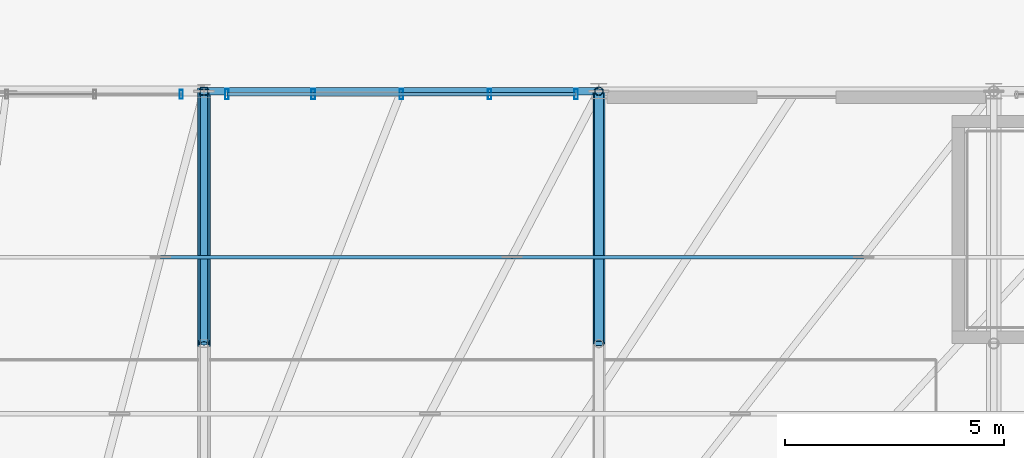
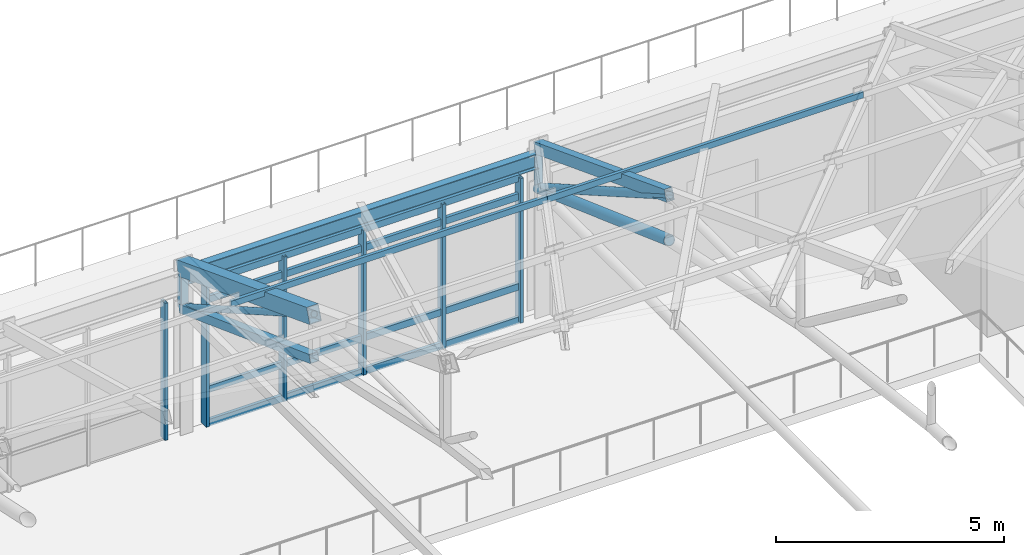
# One storey, part 66 of 168: 18 members, 3 beams, 2 elements without a shape of their own.
"""IFC4 building model written with IfcOpenShell, lengths in metres."""

from ifc_helpers import new_model, si_unit, direction, frame, origin, origin_2d, place, context, subcontext, project, spatial, hollow_rectangle, hollow_circle, i_section, extrude, material, material_profile, profile_set, type_object, element, aggregate, save


model = new_model("IFC4")

# Units and contexts
model_context = context("Model", 3, precision=1e-05, world=origin(), true_north=direction((0.0, 1.0)))
body_context = subcontext(model_context, "Body", "Model", "MODEL_VIEW")
ifc_project = project(units=[si_unit("LENGTHUNIT", "METRE"), si_unit("AREAUNIT", "SQUARE_METRE"), si_unit("VOLUMEUNIT", "CUBIC_METRE"), si_unit("PLANEANGLEUNIT", "RADIAN"), si_unit("MASSUNIT", "GRAM", prefix="KILO"), si_unit("THERMODYNAMICTEMPERATUREUNIT", "KELVIN"), si_unit("POWERUNIT", "WATT")], contexts=[model_context])

# Site, building, storey
site_placement = place(None, origin())
site = spatial("IfcSite", under=ifc_project, at=site_placement, CompositionType="ELEMENT")
building_placement = place(site_placement, origin())
building = spatial("IfcBuilding", under=site, at=building_placement, Name="Tepalcoro Natatorium and Aquatics Centre", CompositionType="ELEMENT")
storey_placement = place(building_placement, frame((0.0, 0.0, 10.199951171875)))
storey = spatial("IfcBuildingStorey", under=building, at=storey_placement, Name="L02", CompositionType="ELEMENT", Elevation=10.199951171875)

# Beams
ifc_material_1 = material(Name="Terracotta Painted Hollow Steel ASTM A500 Grade C (Fy 345 MPa)", Category="masonry")
ifc_material_profile_1 = material_profile(ifc_material_1, hollow_rectangle(XDim=0.199951171875, YDim=0.300048828125, WallThickness=0.013916015625, at=origin_2d()), Name="HSS300X200X14")
ifc_profile_set_1 = profile_set([ifc_material_profile_1], Name="Terracotta Painted Hollow Steel ASTM A500 Grade C (Fy 345 MPa)")
beam_type_1 = type_object("IfcBeamType", Name="AC_HSS300x200x14", PredefinedType="USERDEFINED", material=ifc_profile_set_1)
beam_1_placement = place(storey_placement, frame((107.0, 53.25, 6.64599609375), z_axis=(0.0, 0.934186419385, -0.356785276935), x_axis=(-1.0, 0.0, 0.0)))
element("IfcBeam", 1, at=beam_1_placement, inside=storey, type_object=beam_type_1, Name="V1 Arched Truss Top Chord 7", ObjectType="ARCH CHORD", PredefinedType="USERDEFINED", context=body_context, shape_type="SweptSolid", body=[
    extrude(hollow_rectangle(XDim=0.199951171875, YDim=0.300048828125, WallThickness=0.013916015625, at=origin_2d()), origin(), (0.0, 0.0, 1.0), 6.155029296875),
])
ifc_material_profile_2 = material_profile(ifc_material_1, hollow_rectangle(XDim=0.300048828125, YDim=0.39990234375, WallThickness=0.01611328125, at=origin_2d()), Name="HSS400X300X16")
ifc_profile_set_2 = profile_set([ifc_material_profile_2], Name="Terracotta Painted Hollow Steel ASTM A500 Grade C (Fy 345 MPa)")
beam_type_2 = type_object("IfcBeamType", Name="AC_HSS400x300x16", PredefinedType="USERDEFINED", material=ifc_profile_set_2)
beam_2_placement = place(storey_placement, frame((98.0, 53.25, 6.595947265625), z_axis=(0.0, 0.93419963938, -0.356750660521), x_axis=(-1.0, 0.0, 0.0)))
element("IfcBeam", 2, at=beam_2_placement, inside=storey, type_object=beam_type_2, Name="V1 Arched Truss Top Chord 6", ObjectType="ARCH CHORD", PredefinedType="USERDEFINED", context=body_context, shape_type="SweptSolid", body=[
    extrude(hollow_rectangle(XDim=0.300048828125, YDim=0.39990234375, WallThickness=0.01611328125, at=origin_2d()), origin(), (0.0, 0.0, 1.0), 6.155029296875),
])

# Curtain wall, member
ifc_material_2 = material(Name="Bronze-Anodised Extruded Aluminium Alloy EN AW-6063 T6", Category="aluminium")
curtain_wall_type_1 = type_object("IfcCurtainWallType", Name="CW_V1_PLINTH", PredefinedType="USERDEFINED", material=ifc_material_2)
curtain_wall_1_placement = place(storey_placement, origin())
curtain_wall_1 = element("IfcCurtainWall", 3, at=curtain_wall_1_placement, inside=storey, type_object=curtain_wall_type_1, Name="V1 L02 N Unitised Curtain Wall Bay 5", ObjectType="UNITISED STOREFRONT", PredefinedType="USERDEFINED")
ifc_material_profile_3 = material_profile(ifc_material_2, hollow_rectangle(XDim=0.070068359375, YDim=0.199951171875, WallThickness=0.0048828125, at=origin_2d()), Name="AL70X200X5")
ifc_profile_set_3 = profile_set([ifc_material_profile_3], Name="Bronze-Anodised Extruded Aluminium Alloy EN AW-6063 T6")
member_type_1 = type_object("IfcMemberType", Name="CW_MUL_70x200", PredefinedType="MULLION", material=ifc_profile_set_3)
member_1_placement = place(storey_placement, frame((97.47998046875, 58.9287109375, 0.02001953125), z_axis=(0.0, 0.0, 1.0), x_axis=(1.0, 0.0, 0.0)))
member_1 = element("IfcMember", 4, at=member_1_placement, type_object=member_type_1, Name="CW_V1_PLINTH Curtain Wall Mullion", PredefinedType="MULLION", context=body_context, shape_type="SweptSolid", body=[
    extrude(hollow_rectangle(XDim=0.070068359375, YDim=0.199951171875, WallThickness=0.0048828125, at=origin_2d()), origin(), (0.0, 0.0, 1.0), 3.66796875),
])
aggregate(curtain_wall_1, [member_1])

# Curtain wall, members
curtain_wall_type_2 = type_object("IfcCurtainWallType", Name="CW_V2_DIVING", PredefinedType="USERDEFINED", material=ifc_material_2)
curtain_wall_2_placement = place(storey_placement, origin())
curtain_wall_2 = element("IfcCurtainWall", 5, at=curtain_wall_2_placement, inside=storey, type_object=curtain_wall_type_2, Name="V1 L02 N Unitised Curtain Wall Bay 6", ObjectType="FACETED SOLAR GLAZING", PredefinedType="USERDEFINED")
ifc_material_profile_4 = material_profile(ifc_material_2, hollow_rectangle(XDim=0.080078125, YDim=0.239990234375, WallThickness=0.0048828125, at=origin_2d()), Name="AL80X240X5")
ifc_profile_set_4 = profile_set([ifc_material_profile_4], Name="Bronze-Anodised Extruded Aluminium Alloy EN AW-6063 T6")
member_type_2 = type_object("IfcMemberType", Name="CW_MUL_80x240", PredefinedType="MULLION", material=ifc_profile_set_4)
member_2_placement = place(storey_placement, frame((98.52001953125, 58.93505859375, 0.02001953125), z_axis=(0.0, 0.0, 1.0), x_axis=(1.0, 0.0, 0.0)))
member_2 = element("IfcMember", 6, at=member_2_placement, type_object=member_type_2, Name="CW_V2_DIVING Curtain Wall Mullion", PredefinedType="MULLION", context=body_context, shape_type="SweptSolid", body=[
    extrude(hollow_rectangle(XDim=0.080078125, YDim=0.239990234375, WallThickness=0.0048828125, at=origin_2d()), origin(), (0.0, 0.0, 1.0), 3.866943359375),
])
member_3_placement = place(storey_placement, frame((100.489990234375, 58.93505859375, 0.02001953125), z_axis=(0.0, 0.0, 1.0), x_axis=(1.0, 0.0, 0.0)))
member_3 = element("IfcMember", 7, at=member_3_placement, type_object=member_type_2, Name="CW_V2_DIVING Curtain Wall Mullion", PredefinedType="MULLION", context=body_context, shape_type="SweptSolid", body=[
    extrude(hollow_rectangle(XDim=0.080078125, YDim=0.239990234375, WallThickness=0.0048828125, at=origin_2d()), origin(), (0.0, 0.0, 1.0), 3.866943359375),
])
member_4_placement = place(storey_placement, frame((102.5, 58.93505859375, 0.02001953125), z_axis=(0.0, 0.0, 1.0), x_axis=(1.0, 0.0, 0.0)))
member_4 = element("IfcMember", 8, at=member_4_placement, type_object=member_type_2, Name="CW_V2_DIVING Curtain Wall Mullion", PredefinedType="MULLION", context=body_context, shape_type="SweptSolid", body=[
    extrude(hollow_rectangle(XDim=0.080078125, YDim=0.239990234375, WallThickness=0.0048828125, at=origin_2d()), origin(), (0.0, 0.0, 1.0), 3.866943359375),
])
member_5_placement = place(storey_placement, frame((104.510009765625, 58.93505859375, 0.02001953125), z_axis=(0.0, 0.0, 1.0), x_axis=(1.0, 0.0, 0.0)))
member_5 = element("IfcMember", 9, at=member_5_placement, type_object=member_type_2, Name="CW_V2_DIVING Curtain Wall Mullion", PredefinedType="MULLION", context=body_context, shape_type="SweptSolid", body=[
    extrude(hollow_rectangle(XDim=0.080078125, YDim=0.239990234375, WallThickness=0.0048828125, at=origin_2d()), origin(), (0.0, 0.0, 1.0), 3.866943359375),
])
member_6_placement = place(storey_placement, frame((106.47998046875, 58.93505859375, 0.02001953125), z_axis=(0.0, 0.0, 1.0), x_axis=(1.0, 0.0, 0.0)))
member_6 = element("IfcMember", 10, at=member_6_placement, type_object=member_type_2, Name="CW_V2_DIVING Curtain Wall Mullion", PredefinedType="MULLION", context=body_context, shape_type="SweptSolid", body=[
    extrude(hollow_rectangle(XDim=0.080078125, YDim=0.239990234375, WallThickness=0.0048828125, at=origin_2d()), origin(), (0.0, 0.0, 1.0), 3.866943359375),
])
ifc_material_profile_5 = material_profile(ifc_material_2, hollow_rectangle(XDim=0.080078125, YDim=0.179931640625, WallThickness=0.0048828125, at=origin_2d()), Name="AL80X180X5")
ifc_profile_set_5 = profile_set([ifc_material_profile_5], Name="Bronze-Anodised Extruded Aluminium Alloy EN AW-6063 T6")
member_type_3 = type_object("IfcMemberType", Name="CW_TRN_80x180", PredefinedType="USERDEFINED", material=ifc_profile_set_5)
member_7_placement = place(storey_placement, frame((98.530029296875, 58.93505859375, 0.050048828125), z_axis=(1.0, 0.0, 0.0), x_axis=(0.0, 1.0, 0.0)))
member_7 = element("IfcMember", 11, at=member_7_placement, type_object=member_type_3, Name="CW_V2_DIVING Curtain Wall Transom", ObjectType="TRANSOM", PredefinedType="USERDEFINED", context=body_context, shape_type="SweptSolid", body=[
    extrude(hollow_rectangle(XDim=0.080078125, YDim=0.179931640625, WallThickness=0.0048828125, at=origin_2d()), origin(), (0.0, 0.0, 1.0), 7.93994140625),
])
member_8_placement = place(storey_placement, frame((98.530029296875, 58.93505859375, 0.949951171875), z_axis=(1.0, 0.0, 0.0), x_axis=(0.0, 1.0, 0.0)))
member_8 = element("IfcMember", 12, at=member_8_placement, type_object=member_type_3, Name="CW_V2_DIVING Curtain Wall Transom", ObjectType="TRANSOM", PredefinedType="USERDEFINED", context=body_context, shape_type="SweptSolid", body=[
    extrude(hollow_rectangle(XDim=0.080078125, YDim=0.179931640625, WallThickness=0.0048828125, at=origin_2d()), origin(), (0.0, 0.0, 1.0), 7.93994140625),
])
member_9_placement = place(storey_placement, frame((98.530029296875, 58.93505859375, 3.35693359375), z_axis=(1.0, 0.0, 0.0), x_axis=(0.0, 1.0, 0.0)))
member_9 = element("IfcMember", 13, at=member_9_placement, type_object=member_type_3, Name="CW_V2_DIVING Curtain Wall Transom", ObjectType="TRANSOM", PredefinedType="USERDEFINED", context=body_context, shape_type="SweptSolid", body=[
    extrude(hollow_rectangle(XDim=0.080078125, YDim=0.179931640625, WallThickness=0.0048828125, at=origin_2d()), origin(), (0.0, 0.0, 1.0), 7.93994140625),
])
member_10_placement = place(storey_placement, frame((98.530029296875, 58.93505859375, 3.85693359375), z_axis=(1.0, 0.0, 0.0), x_axis=(0.0, 1.0, 0.0)))
member_10 = element("IfcMember", 14, at=member_10_placement, type_object=member_type_3, Name="CW_V2_DIVING Curtain Wall Transom", ObjectType="TRANSOM", PredefinedType="USERDEFINED", context=body_context, shape_type="SweptSolid", body=[
    extrude(hollow_rectangle(XDim=0.080078125, YDim=0.179931640625, WallThickness=0.0048828125, at=origin_2d()), origin(), (0.0, 0.0, 1.0), 7.93994140625),
])
aggregate(curtain_wall_2, [member_2, member_3, member_4, member_5, member_6, member_7, member_8, member_9, member_10])

# Members
ifc_material_profile_6 = material_profile(ifc_material_1, hollow_circle(Radius=0.136474609375, WallThickness=0.01611328125, at=origin_2d()), Name="CHS273X16")
ifc_profile_set_6 = profile_set([ifc_material_profile_6], Name="Terracotta Painted Hollow Steel ASTM A500 Grade C (Fy 345 MPa)")
member_type_4 = type_object("IfcMemberType", Name="MB_CH_CHS273x16", PredefinedType="CHORD", material=ifc_profile_set_6)
member_11_placement = place(storey_placement, frame((107.0, 53.25, 5.42822265625), z_axis=(0.0, 0.940463155203, -0.339895651201), x_axis=(-1.0, 0.0, 0.0)))
element("IfcMember", 15, at=member_11_placement, inside=storey, type_object=member_type_4, Name="V1 Arched Truss Bottom Chord 7", PredefinedType="CHORD", context=body_context, shape_type="SweptSolid", body=[
    extrude(hollow_circle(Radius=0.136474609375, WallThickness=0.01611328125, at=origin_2d()), origin(), (0.0, 0.0, 1.0), 6.114013671875),
])
ifc_material_profile_7 = material_profile(ifc_material_1, hollow_rectangle(XDim=0.219970703125, YDim=0.219970703125, WallThickness=0.011962890625, at=origin_2d()), Name="HSS220X220X12")
ifc_profile_set_7 = profile_set([ifc_material_profile_7], Name="Terracotta Painted Hollow Steel ASTM A500 Grade C (Fy 345 MPa)")
member_type_5 = type_object("IfcMemberType", Name="MB_CH_HSS220x220x12", PredefinedType="CHORD", material=ifc_profile_set_7)
member_12_placement = place(storey_placement, frame((98.0, 53.25, 5.42822265625), z_axis=(0.0, 0.937826070655, -0.347105547635), x_axis=(-1.0, 0.0, 0.0)))
element("IfcMember", 16, at=member_12_placement, inside=storey, type_object=member_type_5, Name="V1 Arched Truss Bottom Chord 6", PredefinedType="CHORD", context=body_context, shape_type="SweptSolid", body=[
    extrude(hollow_rectangle(XDim=0.219970703125, YDim=0.219970703125, WallThickness=0.011962890625, at=origin_2d()), origin(), (0.0, 0.0, 1.0), 6.131103515625),
])
ifc_material_3 = material(Name="Hollow Steel ASTM A500 Grade C (Fy 345 MPa)", Category="steel")
ifc_material_profile_8 = material_profile(ifc_material_3, hollow_rectangle(XDim=0.080078125, YDim=0.159912109375, WallThickness=0.008056640625, at=origin_2d()), Name="HSS160X80X8")
ifc_profile_set_8 = profile_set([ifc_material_profile_8], Name="Hollow Steel ASTM A500 Grade C (Fy 345 MPa)")
member_type_6 = type_object("IfcMemberType", Name="MB_PR_HSS160x80x8", PredefinedType="PURLIN", material=ifc_profile_set_8)
for number, where, z_axis, x_axis, name in (
    (17, (97.010009765625, 55.219970703125, 6.03662109375), (1.0, 0.0, 0.0), (0.0, 1.0, 0.0), "Pyramid Horizontal Purlin North"),
    (18, (105.02001953125, 55.219970703125, 6.03662109375), (1.0, 0.0, 0.0), (0.0, 1.0, 0.0), "Pyramid Horizontal Purlin North"),
):
    element("IfcMember", number, at=place(storey_placement, frame(where, z_axis=z_axis, x_axis=x_axis)), inside=storey, type_object=member_type_6, Name=name, PredefinedType="PURLIN", context=body_context, shape_type="SweptSolid", body=[
        extrude(hollow_rectangle(XDim=0.080078125, YDim=0.159912109375, WallThickness=0.008056640625, at=origin_2d()), origin(), (0.0, 0.0, 1.0), 8.010009765625),
    ])
ifc_material_profile_9 = material_profile(ifc_material_1, hollow_circle(Radius=0.096923828125, WallThickness=0.010009765625, at=origin_2d()), Name="CHS194X10")
ifc_profile_set_9 = profile_set([ifc_material_profile_9], Name="Terracotta Painted Hollow Steel ASTM A500 Grade C (Fy 345 MPa)")
member_type_7 = type_object("IfcMemberType", Name="MB_PS_CHS194x10", PredefinedType="POST", material=ifc_profile_set_9)
member_13_placement = place(storey_placement, frame((107.0, 59.0, 3.35009765625), z_axis=(0.0, 0.0, 1.0), x_axis=(1.0, 0.0, 0.0)))
element("IfcMember", 19, at=member_13_placement, inside=storey, type_object=member_type_7, Name="V1 Arched Truss Vertical Post 7", PredefinedType="POST", context=body_context, shape_type="SweptSolid", body=[
    extrude(hollow_circle(Radius=0.096923828125, WallThickness=0.010009765625, at=origin_2d()), origin(), (0.0, 0.0, 1.0), 1.099853515625),
])
ifc_material_profile_10 = material_profile(ifc_material_1, hollow_rectangle(XDim=0.179931640625, YDim=0.179931640625, WallThickness=0.010009765625, at=origin_2d()), Name="HSS180X180X10")
ifc_profile_set_10 = profile_set([ifc_material_profile_10], Name="Terracotta Painted Hollow Steel ASTM A500 Grade C (Fy 345 MPa)")
member_type_8 = type_object("IfcMemberType", Name="MB_PS_HSS180x180x10", PredefinedType="POST", material=ifc_profile_set_10)
member_14_placement = place(storey_placement, frame((98.0, 59.0, 3.300048828125), z_axis=(0.0, 0.0, 1.0), x_axis=(1.0, 0.0, 0.0)))
element("IfcMember", 20, at=member_14_placement, inside=storey, type_object=member_type_8, Name="V1 Arched Truss Vertical Post 6", PredefinedType="POST", context=body_context, shape_type="SweptSolid", body=[
    extrude(hollow_rectangle(XDim=0.179931640625, YDim=0.179931640625, WallThickness=0.010009765625, at=origin_2d()), origin(), (0.0, 0.0, 1.0), 1.10009765625),
])
ifc_material_profile_11 = material_profile(ifc_material_1, hollow_circle(Radius=0.083984375, WallThickness=0.011962890625, at=origin_2d()), Name="CHS168X12")
ifc_profile_set_11 = profile_set([ifc_material_profile_11], Name="Terracotta Painted Hollow Steel ASTM A500 Grade C (Fy 345 MPa)")
member_type_9 = type_object("IfcMemberType", Name="MB_ST_CHS168x12", PredefinedType="STRUT", material=ifc_profile_set_11)
member_15_placement = place(storey_placement, frame((98.0, 53.25, 6.595947265625), z_axis=(0.0, 0.867580440338, -0.497296872646), x_axis=(-1.0, 0.0, 0.0)))
element("IfcMember", 21, at=member_15_placement, inside=storey, type_object=member_type_9, Name="V1 Arched Truss Web Diagonal 6", PredefinedType="STRUT", context=body_context, shape_type="SweptSolid", body=[
    extrude(hollow_circle(Radius=0.083984375, WallThickness=0.011962890625, at=origin_2d()), origin(), (0.0, 0.0, 1.0), 6.627685546875),
])
ifc_material_profile_12 = material_profile(ifc_material_1, hollow_circle(Radius=0.109619140625, WallThickness=0.013916015625, at=origin_2d()), Name="CHS219X14")
ifc_profile_set_12 = profile_set([ifc_material_profile_12], Name="Terracotta Painted Hollow Steel ASTM A500 Grade C (Fy 345 MPa)")
member_type_10 = type_object("IfcMemberType", Name="MB_ST_CHS219x14", PredefinedType="STRUT", material=ifc_profile_set_12)
member_16_placement = place(storey_placement, frame((107.0, 53.25, 6.64599609375), z_axis=(0.0, 0.867580440338, -0.497296872646), x_axis=(-1.0, 0.0, 0.0)))
element("IfcMember", 22, at=member_16_placement, inside=storey, type_object=member_type_10, Name="V1 Arched Truss Web Diagonal 7", PredefinedType="STRUT", context=body_context, shape_type="SweptSolid", body=[
    extrude(hollow_circle(Radius=0.109619140625, WallThickness=0.013916015625, at=origin_2d()), origin(), (0.0, 0.0, 1.0), 6.627685546875),
])

# Beam
ifc_material_4 = material(Name="Steel ASTM A992 Grade 50 (Fy 345 MPa)", Category="steel")
ifc_material_profile_13 = material_profile(ifc_material_4, i_section(OverallWidth=0.179931640625, OverallDepth=0.4130859375, WebThickness=0.010009765625, FlangeThickness=0.01611328125, FilletRadius=0.013916015625, at=origin_2d()), Name="W16X50")
ifc_profile_set_13 = profile_set([ifc_material_profile_13], Name="Steel ASTM A992 Grade 50 (Fy 345 MPa)")
beam_type_3 = type_object("IfcBeamType", Name="SP_HSS300x200x12", PredefinedType="SPANDREL", material=ifc_profile_set_13)
beam_3_placement = place(storey_placement, frame((98.0, 59.0, 4.128662109375), z_axis=(1.0, 0.0, 0.0), x_axis=(0.0, 1.0, 0.0)))
element("IfcBeam", 23, at=beam_3_placement, inside=storey, type_object=beam_type_3, Name="V1 L02 Grid Girder X", PredefinedType="SPANDREL", context=body_context, shape_type="SweptSolid", body=[
    extrude(i_section(OverallWidth=0.179931640625, OverallDepth=0.4130859375, WebThickness=0.010009765625, FlangeThickness=0.01611328125, FilletRadius=0.013916015625, at=origin_2d()), origin(), (0.0, 0.0, 1.0), 9.0),
])

save(model, "model.ifc")
